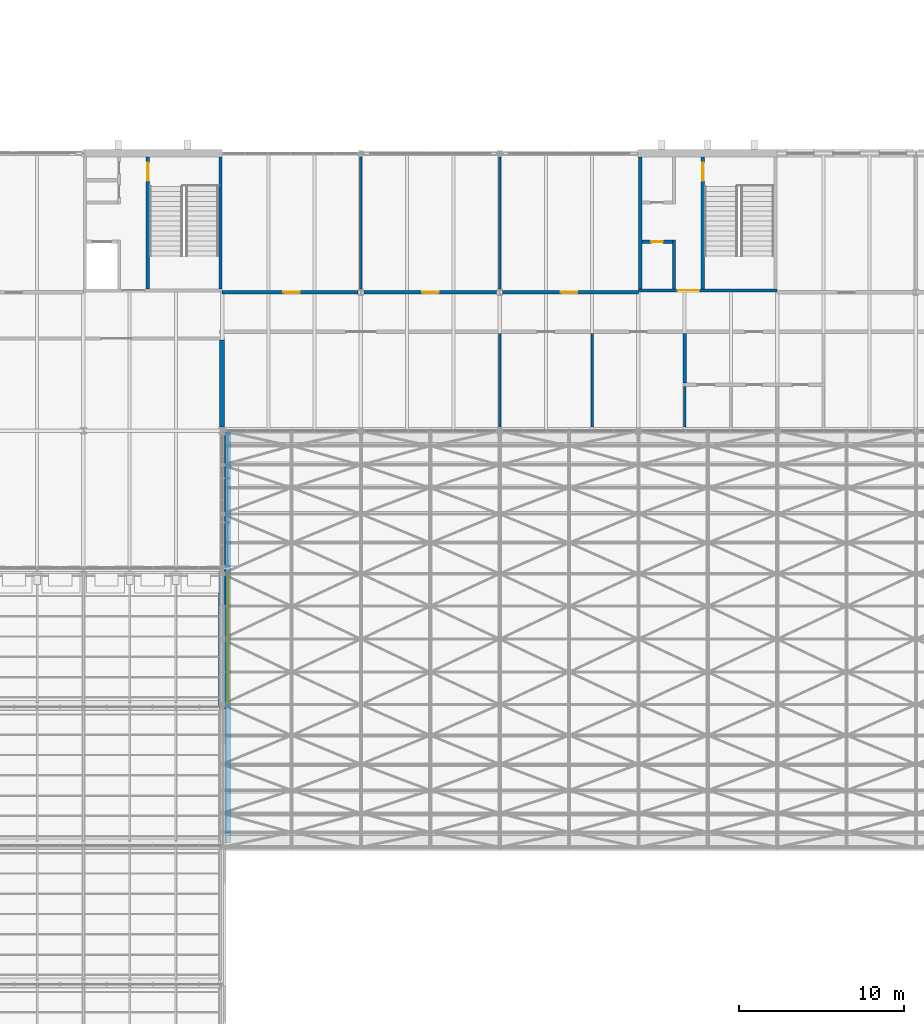
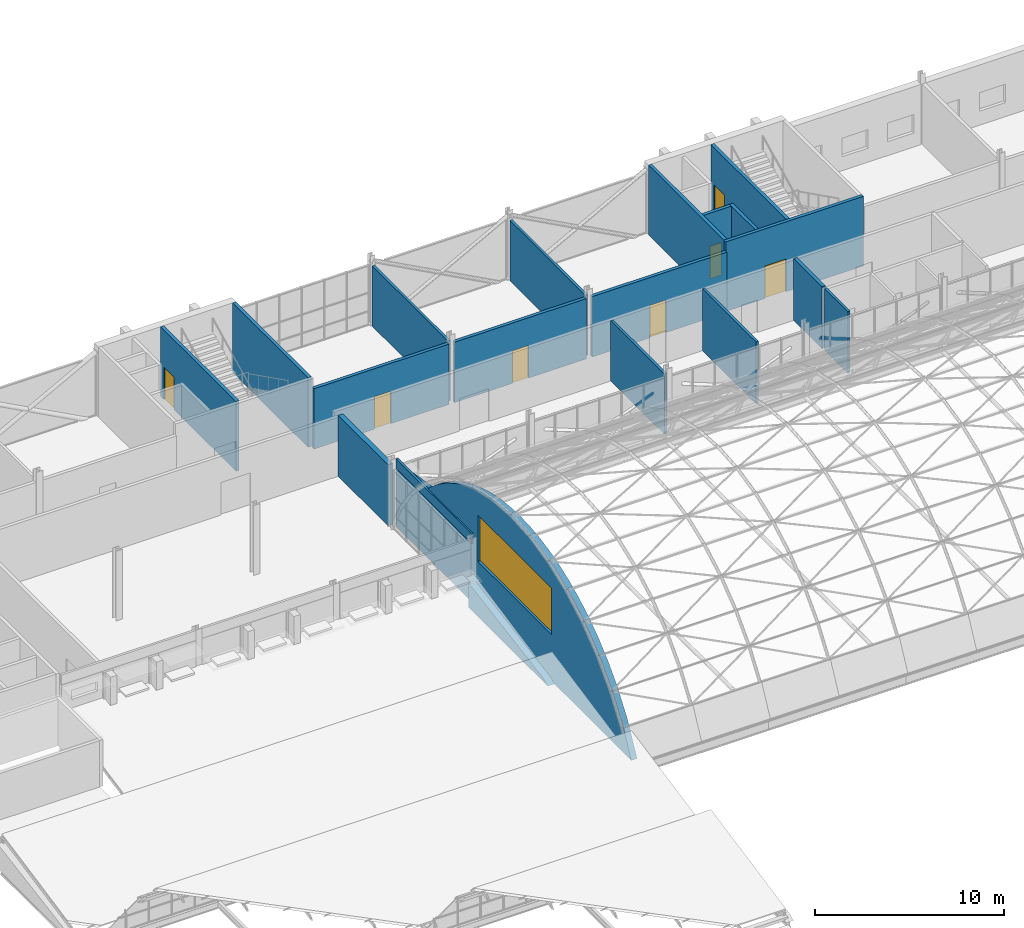
# One storey, part 84 of 121: 20 walls, 7 doors, 1 window, 8 openings.
"""IFC4 building model written with IfcOpenShell, lengths in metres."""

from ifc_helpers import new_model, si_unit, direction, frame, frame_2d, origin, place, context, subcontext, project, spatial, polyline, rectangle, outline, extrude, material, layer, layer_set, type_object, element, fill, save


model = new_model("IFC4")

# Units and contexts
model_context = context("Model", 3, precision=1e-05, world=origin(), true_north=direction((0.0, 1.0)))
body_context = subcontext(model_context, "Body", "Model", "MODEL_VIEW")
ifc_project = project(units=[si_unit("LENGTHUNIT", "METRE"), si_unit("AREAUNIT", "SQUARE_METRE"), si_unit("VOLUMEUNIT", "CUBIC_METRE"), si_unit("PLANEANGLEUNIT", "RADIAN"), si_unit("MASSUNIT", "GRAM", prefix="KILO")], contexts=[model_context])

# Site, building, storey
site_placement = place(None, origin())
site = spatial("IfcSite", under=ifc_project, at=site_placement, CompositionType="ELEMENT")
building_placement = place(site_placement, origin())
building = spatial("IfcBuilding", under=site, at=building_placement, Name="Ardhachandra Cancer Care Centre", CompositionType="ELEMENT")
storey_placement = place(building_placement, frame((0.0, 0.0, 9.0)))
storey = spatial("IfcBuildingStorey", under=building, at=storey_placement, Name="L02", CompositionType="ELEMENT", Elevation=9.0)

# Wall, opening, window
ifc_material_1 = material(Name="Brick masonry (clay brick, cement mortar)", Category="masonry")
ifc_layer_1 = layer(ifc_material_1, 0.35009765625)
ifc_layer_set_1 = layer_set([ifc_layer_1], Name="Brick masonry (clay brick, cement mortar)")
wall_type_1 = type_object("IfcWallType", Name="Brick gable wall 350", PredefinedType="SOLIDWALL", material=ifc_layer_set_1)
wall_1_placement = place(storey_placement, frame((44.7548828125, 54.60009765625, 0.0), z_axis=(0.0, 0.0, 1.0), x_axis=(0.0, 1.0, 0.0)))
wall_1 = element("IfcWall", 1, at=wall_1_placement, inside=storey, type_object=wall_type_1, Name="Hall gable wall west", PredefinedType="SOLIDWALL", context=body_context, shape_type="SweptSolid", body=[
    extrude(outline(polyline([(25.127197265625, 0.0), (25.127197265625, 3.89990234375), (21.852783203125, 4.453125), (20.82470703125, 5.338623046875), (19.796630859375, 6.062744140625), (18.7685546875, 6.654541015625), (17.740478515625, 7.13330078125), (16.71240234375, 7.511474609375), (15.684326171875, 7.798095703125), (14.65625, 7.9990234375), (13.628173828125, 8.1181640625), (12.60009765625, 8.15771484375), (11.572021484375, 8.1181640625), (10.543701171875, 7.9990234375), (9.515625, 7.798095703125), (8.487548828125, 7.511474609375), (7.45947265625, 7.13330078125), (6.431396484375, 6.654541015625), (5.4033203125, 6.062744140625), (4.375244140625, 5.338623046875), (3.34716796875, 4.453125), (2.319091796875, 3.3564453125), (1.291015625, 1.952392578125), (0.262939453125, 0.0), (0.262939453125, 0.0), (25.127197265625, 0.0)])), frame((0.0, 0.175048828125, 0.0), z_axis=(0.0, -1.0, 0.0), x_axis=(1.0, 0.0, 0.0)), (0.0, 0.0, 1.0), 0.35009765625),
])
opening_1_placement = place(wall_1_placement, frame((8.699951171875, 0.0, 3.0)))
opening_1 = element("IfcOpeningElement", 2, at=opening_1_placement, cuts=wall_1, Name="Opening W6", PredefinedType="OPENING", context=body_context, shape_type="SweptSolid", body=[
    extrude(rectangle(XDim=7.800048828125, YDim=3.0, at=frame_2d((3.89990234375, 1.5))), frame((0.0, 0.18505859375, 0.0), z_axis=(0.0, -1.0, 0.0), x_axis=(1.0, 0.0, 0.0)), (0.0, 0.0, 1.0), 0.3701171875),
])
ifc_material_2 = material(Name="Steel frame with double-glazed unit (Steel E250 (IS 2062))", Category="steel")
window_type = type_object("IfcWindowType", Name="Lunette window 7800 x 3000", PartitioningType="DOUBLE_PANEL_VERTICAL", PredefinedType="WINDOW", material=ifc_material_2)
window_placement = place(opening_1_placement, origin())
window = element("IfcWindow", 3, at=window_placement, inside=storey, type_object=window_type, Name="Hall west lunette window", OverallHeight=3.0, OverallWidth=7.800048828125, PartitioningType="SINGLE_PANEL", PredefinedType="WINDOW", context=body_context, shape_type="SweptSolid", body=[
    extrude(rectangle(XDim=7.800048828125, YDim=3.0, at=frame_2d((3.89990234375, 1.5))), frame((0.0, 0.030029296875, 0.0), z_axis=(0.0, -1.0, 0.0), x_axis=(1.0, 0.0, 0.0)), (0.0, 0.0, 1.0), 0.06005859375),
])
fill(opening_1, window)

# Wall
ifc_material_3 = material(Name="Brick masonry", Category="masonry")
ifc_layer_2 = layer(ifc_material_3, 0.300048828125)
ifc_layer_set_2 = layer_set([ifc_layer_2], Name="Brick masonry")
wall_type_2 = type_object("IfcWallType", Name="COMPARTMENT WALL 300", PredefinedType="SOLIDWALL", material=ifc_layer_set_2)
wall_2_placement = place(storey_placement, frame((44.39990234375, 80.02490234375, 0.0), z_axis=(0.0, 0.0, 1.0), x_axis=(0.0, 1.0, 0.0)))
element("IfcWall", 4, at=wall_2_placement, inside=storey, type_object=wall_type_2, Name="R/wall/L02/v0044400_0080025", PredefinedType="SOLIDWALL", context=body_context, shape_type="SweptSolid", body=[
    extrude(rectangle(XDim=5.275146484375, YDim=0.300048828125, at=frame_2d((2.6376953125, 0.0))), origin(), (0.0, 0.0, 1.0), 3.93603515625),
])

# Wall, opening, door
ifc_material_4 = material(Name="Gypsum board corridor partition on steel studs", Category="steel")
ifc_layer_3 = layer(ifc_material_4, 0.199951171875)
ifc_layer_set_3 = layer_set([ifc_layer_3], Name="Gypsum board corridor partition on steel studs")
wall_type_3 = type_object("IfcWallType", Name="CORRIDOR WALL 200", PredefinedType="PARTITIONING", material=ifc_layer_set_3)
wall_3_placement = place(storey_placement, frame((44.39990234375, 88.199951171875, 0.0), z_axis=(0.0, 0.0, 1.0), x_axis=(1.0, 0.0, 0.0)))
wall_3 = element("IfcWall", 5, at=wall_3_placement, inside=storey, type_object=wall_type_3, Name="R/wall/L02/h0088200_0044400", PredefinedType="PARTITIONING", context=body_context, shape_type="SweptSolid", body=[
    extrude(rectangle(XDim=8.22021484375, YDim=0.199951171875, at=frame_2d((4.110107421875, 0.0))), origin(), (0.0, 0.0, 1.0), 3.89990234375),
])
opening_2_placement = place(wall_3_placement, frame((3.699951171875, 0.0, 0.0)))
opening_2 = element("IfcOpeningElement", 6, at=opening_2_placement, cuts=wall_3, Name="Opening L02-0019", PredefinedType="OPENING", context=body_context, shape_type="SweptSolid", body=[
    extrude(rectangle(XDim=1.0, YDim=2.10009765625, at=frame_2d((0.5, 1.050048828125))), frame((0.0, 0.10986328125, 0.0), z_axis=(0.0, -1.0, 0.0), x_axis=(1.0, 0.0, 0.0)), (0.0, 0.0, 1.0), 0.219970703125),
])
ifc_material_5 = material(Name="Timber fire door with smoke seals", Category="wood")
door_type_1 = type_object("IfcDoorType", Name="FIRE DOOR SINGLE 1000x2100 FD30S", OperationType="NOTDEFINED", PredefinedType="DOOR", material=ifc_material_5)
door_1_placement = place(opening_2_placement, origin())
door_1 = element("IfcDoor", 7, at=door_1_placement, inside=storey, type_object=door_type_1, Name="Door L02-0019", OperationType="SINGLE_SWING_RIGHT", OverallHeight=2.10009765625, OverallWidth=1.0, PredefinedType="DOOR", context=body_context, shape_type="SweptSolid", body=[
    extrude(rectangle(XDim=1.0, YDim=2.10009765625, at=frame_2d((0.5, 1.050048828125))), frame((0.0, 0.02490234375, 0.0), z_axis=(0.0, -1.0, 0.0), x_axis=(1.0, 0.0, 0.0)), (0.0, 0.0, 1.0), 0.050048828125),
])
fill(opening_2, door_1)

wall_4_placement = place(storey_placement, frame((52.97998046875, 88.199951171875, 0.0), z_axis=(0.0, 0.0, 1.0), x_axis=(1.0, 0.0, 0.0)))
wall_4 = element("IfcWall", 8, at=wall_4_placement, inside=storey, type_object=wall_type_3, Name="R/wall/L02/h0088200_0052980", PredefinedType="PARTITIONING", context=body_context, shape_type="SweptSolid", body=[
    extrude(rectangle(XDim=8.0400390625, YDim=0.199951171875, at=frame_2d((4.02001953125, 0.0))), origin(), (0.0, 0.0, 1.0), 3.89990234375),
])
opening_3_placement = place(wall_4_placement, frame((3.52001953125, 0.0, 0.0)))
opening_3 = element("IfcOpeningElement", 9, at=opening_3_placement, cuts=wall_4, Name="Opening L02-0020", PredefinedType="OPENING", context=body_context, shape_type="SweptSolid", body=[
    extrude(rectangle(XDim=1.0, YDim=2.10009765625, at=frame_2d((0.5, 1.050048828125))), frame((0.0, 0.10986328125, 0.0), z_axis=(0.0, -1.0, 0.0), x_axis=(1.0, 0.0, 0.0)), (0.0, 0.0, 1.0), 0.219970703125),
])
door_2_placement = place(opening_3_placement, origin())
door_2 = element("IfcDoor", 10, at=door_2_placement, inside=storey, type_object=door_type_1, Name="Door L02-0020", OperationType="SINGLE_SWING_RIGHT", OverallHeight=2.10009765625, OverallWidth=1.0, PredefinedType="DOOR", context=body_context, shape_type="SweptSolid", body=[
    extrude(rectangle(XDim=1.0, YDim=2.10009765625, at=frame_2d((0.5, 1.050048828125))), frame((0.0, 0.02490234375, 0.0), z_axis=(0.0, -1.0, 0.0), x_axis=(1.0, 0.0, 0.0)), (0.0, 0.0, 1.0), 0.050048828125),
])
fill(opening_3, door_2)

wall_5_placement = place(storey_placement, frame((61.3798828125, 88.199951171875, 0.0), z_axis=(0.0, 0.0, 1.0), x_axis=(1.0, 0.0, 0.0)))
wall_5 = element("IfcWall", 11, at=wall_5_placement, inside=storey, type_object=wall_type_3, Name="R/wall/L02/h0088200_0061380", PredefinedType="PARTITIONING", context=body_context, shape_type="SweptSolid", body=[
    extrude(rectangle(XDim=8.22021484375, YDim=0.199951171875, at=frame_2d((4.110107421875, 0.0))), origin(), (0.0, 0.0, 1.0), 3.89990234375),
])
opening_4_placement = place(wall_5_placement, frame((3.52001953125, 0.0, 0.0)))
opening_4 = element("IfcOpeningElement", 12, at=opening_4_placement, cuts=wall_5, Name="Opening L02-0021", PredefinedType="OPENING", context=body_context, shape_type="SweptSolid", body=[
    extrude(rectangle(XDim=1.0, YDim=2.10009765625, at=frame_2d((0.5, 1.050048828125))), frame((0.0, 0.10986328125, 0.0), z_axis=(0.0, -1.0, 0.0), x_axis=(1.0, 0.0, 0.0)), (0.0, 0.0, 1.0), 0.219970703125),
])
door_3_placement = place(opening_4_placement, origin())
door_3 = element("IfcDoor", 13, at=door_3_placement, inside=storey, type_object=door_type_1, Name="Door L02-0021", OperationType="SINGLE_SWING_LEFT", OverallHeight=2.10009765625, OverallWidth=1.0, PredefinedType="DOOR", context=body_context, shape_type="SweptSolid", body=[
    extrude(rectangle(XDim=1.0, YDim=2.10009765625, at=frame_2d((0.5, 1.050048828125))), frame((0.0, 0.02490234375, 0.0), z_axis=(0.0, -1.0, 0.0), x_axis=(1.0, 0.0, 0.0)), (0.0, 0.0, 1.0), 0.050048828125),
])
fill(opening_4, door_3)

# Walls
wall_6_placement = place(storey_placement, frame((72.39990234375, 82.699951171875, 0.0), z_axis=(0.0, 0.0, 1.0), x_axis=(0.0, 1.0, 0.0)))
element("IfcWall", 14, at=wall_6_placement, inside=storey, type_object=wall_type_3, Name="R/wall/L02/v0072400_0082700", PredefinedType="PARTITIONING", context=body_context, shape_type="SweptSolid", body=[
    extrude(rectangle(XDim=3.0, YDim=0.199951171875, at=frame_2d((1.5, 0.0))), origin(), (0.0, 0.0, 1.0), 3.99609375),
])
ifc_material_6 = material(Name="Concrete M40", Category="concrete")
ifc_layer_4 = layer(ifc_material_6, 0.199951171875)
ifc_layer_set_4 = layer_set([ifc_layer_4], Name="Concrete M40")
wall_type_4 = type_object("IfcWallType", Name="Core wall RC 200", PredefinedType="SOLIDWALL", material=ifc_layer_set_4)
wall_7_placement = place(storey_placement, frame((44.300048828125, 88.39990234375, 0.0), z_axis=(0.0, 0.0, 1.0), x_axis=(0.0, 1.0, 0.0)))
element("IfcWall", 15, at=wall_7_placement, inside=storey, type_object=wall_type_4, Name="Core wall K5 UW", PredefinedType="SOLIDWALL", context=body_context, shape_type="SweptSolid", body=[
    extrude(rectangle(XDim=7.97509765625, YDim=0.199951171875, at=frame_2d((3.987548828125, 0.0))), origin(), (0.0, 0.0, 1.0), 4.5),
])

# Wall, opening, door
wall_8_placement = place(storey_placement, frame((39.89990234375, 88.39990234375, 0.0), z_axis=(0.0, 0.0, 1.0), x_axis=(0.0, 1.0, 0.0)))
wall_8 = element("IfcWall", 16, at=wall_8_placement, inside=storey, type_object=wall_type_4, Name="Core wall K5 P1", PredefinedType="SOLIDWALL", context=body_context, shape_type="SweptSolid", body=[
    extrude(rectangle(XDim=7.97509765625, YDim=0.199951171875, at=frame_2d((3.987548828125, 0.0))), origin(), (0.0, 0.0, 1.0), 4.5),
])
opening_5_placement = place(wall_8_placement, frame((6.53759765625, 0.0, 0.0)))
opening_5 = element("IfcOpeningElement", 17, at=opening_5_placement, cuts=wall_8, Name="Opening L02-K05-2", PredefinedType="OPENING", context=body_context, shape_type="SweptSolid", body=[
    extrude(rectangle(XDim=1.10009765625, YDim=2.10009765625, at=frame_2d((0.550048828125, 1.050048828125))), frame((0.0, 0.10986328125, 0.0), z_axis=(0.0, -1.0, 0.0), x_axis=(1.0, 0.0, 0.0)), (0.0, 0.0, 1.0), 0.219970703125),
])
ifc_material_7 = material(Name="Steel door set", Category="steel")
door_type_2 = type_object("IfcDoorType", Name="Stair door 1100x2100 FD60S", OperationType="NOTDEFINED", PredefinedType="DOOR", material=ifc_material_7)
door_4_placement = place(opening_5_placement, origin())
door_4 = element("IfcDoor", 18, at=door_4_placement, inside=storey, type_object=door_type_2, Name="Stair door", OperationType="SINGLE_SWING_LEFT", OverallHeight=2.10009765625, OverallWidth=1.10009765625, PredefinedType="DOOR", context=body_context, shape_type="SweptSolid", body=[
    extrude(rectangle(XDim=1.10009765625, YDim=2.10009765625, at=frame_2d((0.550048828125, 1.050048828125))), frame((0.0, 0.02490234375, 0.0), z_axis=(0.0, -1.0, 0.0), x_axis=(1.0, 0.0, 0.0)), (0.0, 0.0, 1.0), 0.050048828125),
])
fill(opening_5, door_4)

wall_9_placement = place(storey_placement, frame((78.0, 88.300048828125, 0.0), z_axis=(0.0, 0.0, 1.0), x_axis=(-1.0, 0.0, 0.0)))
wall_9 = element("IfcWall", 19, at=wall_9_placement, inside=storey, type_object=wall_type_4, Name="Core wall K8 ENT", PredefinedType="SOLIDWALL", context=body_context, shape_type="SweptSolid", body=[
    extrude(rectangle(XDim=8.39990234375, YDim=0.199951171875, at=frame_2d((4.199951171875, 0.0))), origin(), (0.0, 0.0, 1.0), 4.5),
])
opening_6_placement = place(wall_9_placement, frame((4.72509765625, 0.0, 0.0)))
opening_6 = element("IfcOpeningElement", 20, at=opening_6_placement, cuts=wall_9, Name="Opening L02-K08-1", PredefinedType="OPENING", context=body_context, shape_type="SweptSolid", body=[
    extrude(rectangle(XDim=1.300048828125, YDim=2.10009765625, at=frame_2d((0.64990234375, 1.050048828125))), frame((0.0, 0.10986328125, 0.0), z_axis=(0.0, -1.0, 0.0), x_axis=(1.0, 0.0, 0.0)), (0.0, 0.0, 1.0), 0.219970703125),
])
ifc_material_8 = material(Name="Steel door set", Category="steel")
door_type_3 = type_object("IfcDoorType", Name="Core entry double door 1300x2100 FD60", OperationType="DOUBLE_DOOR_DOUBLE_SWING", PredefinedType="DOOR", material=ifc_material_8)
door_5_placement = place(opening_6_placement, origin())
door_5 = element("IfcDoor", 21, at=door_5_placement, inside=storey, type_object=door_type_3, Name="Core entry door", OperationType="DOUBLE_DOOR_DOUBLE_SWING", OverallHeight=2.10009765625, OverallWidth=1.300048828125, PredefinedType="DOOR", context=body_context, shape_type="SweptSolid", body=[
    extrude(rectangle(XDim=1.300048828125, YDim=2.10009765625, at=frame_2d((0.64990234375, 1.050048828125))), frame((0.0, 0.02490234375, 0.0), z_axis=(0.0, -1.0, 0.0), x_axis=(1.0, 0.0, 0.0)), (0.0, 0.0, 1.0), 0.050048828125),
])
fill(opening_6, door_5)

# Wall
wall_10_placement = place(storey_placement, frame((69.699951171875, 88.39990234375, 0.0), z_axis=(0.0, 0.0, 1.0), x_axis=(0.0, 1.0, 0.0)))
element("IfcWall", 22, at=wall_10_placement, inside=storey, type_object=wall_type_4, Name="Core wall K8 UE", PredefinedType="SOLIDWALL", context=body_context, shape_type="SweptSolid", body=[
    extrude(rectangle(XDim=7.97509765625, YDim=0.199951171875, at=frame_2d((3.987548828125, 0.0))), origin(), (0.0, 0.0, 1.0), 4.5),
])

# Wall, opening, door
wall_11_placement = place(storey_placement, frame((73.5, 88.39990234375, 0.0), z_axis=(0.0, 0.0, 1.0), x_axis=(0.0, 1.0, 0.0)))
wall_11 = element("IfcWall", 23, at=wall_11_placement, inside=storey, type_object=wall_type_4, Name="Core wall K8 P1", PredefinedType="SOLIDWALL", context=body_context, shape_type="SweptSolid", body=[
    extrude(rectangle(XDim=7.97509765625, YDim=0.199951171875, at=frame_2d((3.987548828125, 0.0))), origin(), (0.0, 0.0, 1.0), 4.5),
])
opening_7_placement = place(wall_11_placement, frame((6.53759765625, 0.0, 0.0)))
opening_7 = element("IfcOpeningElement", 24, at=opening_7_placement, cuts=wall_11, Name="Opening L02-K08-2", PredefinedType="OPENING", context=body_context, shape_type="SweptSolid", body=[
    extrude(rectangle(XDim=1.10009765625, YDim=2.10009765625, at=frame_2d((0.550048828125, 1.050048828125))), frame((0.0, 0.10986328125, 0.0), z_axis=(0.0, -1.0, 0.0), x_axis=(1.0, 0.0, 0.0)), (0.0, 0.0, 1.0), 0.219970703125),
])
door_6_placement = place(opening_7_placement, origin())
door_6 = element("IfcDoor", 25, at=door_6_placement, inside=storey, type_object=door_type_2, Name="Stair door", OperationType="SINGLE_SWING_LEFT", OverallHeight=2.10009765625, OverallWidth=1.10009765625, PredefinedType="DOOR", context=body_context, shape_type="SweptSolid", body=[
    extrude(rectangle(XDim=1.10009765625, YDim=2.10009765625, at=frame_2d((0.550048828125, 1.050048828125))), frame((0.0, 0.02490234375, 0.0), z_axis=(0.0, -1.0, 0.0), x_axis=(1.0, 0.0, 0.0)), (0.0, 0.0, 1.0), 0.050048828125),
])
fill(opening_7, door_6)

# Wall
wall_12_placement = place(storey_placement, frame((71.75, 88.39990234375, 0.0), z_axis=(0.0, 0.0, 1.0), x_axis=(0.0, 1.0, 0.0)))
element("IfcWall", 26, at=wall_12_placement, inside=storey, type_object=wall_type_4, Name="Core wall K8 P2A", PredefinedType="SOLIDWALL", context=body_context, shape_type="SweptSolid", body=[
    extrude(rectangle(XDim=2.9501953125, YDim=0.199951171875, at=frame_2d((1.47509765625, 0.0))), origin(), (0.0, 0.0, 1.0), 4.300048828125),
])

# Wall, opening, door
wall_13_placement = place(storey_placement, frame((71.64990234375, 91.25, 0.0), z_axis=(0.0, 0.0, 1.0), x_axis=(-1.0, 0.0, 0.0)))
wall_13 = element("IfcWall", 27, at=wall_13_placement, inside=storey, type_object=wall_type_4, Name="Core wall K8 W1", PredefinedType="SOLIDWALL", context=body_context, shape_type="SweptSolid", body=[
    extrude(rectangle(XDim=1.849853515625, YDim=0.199951171875, at=frame_2d((0.9248046875, 0.0))), origin(), (0.0, 0.0, 1.0), 4.300048828125),
])
opening_8_placement = place(wall_13_placement, frame((0.574951171875, 0.0, 0.0)))
opening_8 = element("IfcOpeningElement", 28, at=opening_8_placement, cuts=wall_13, Name="Opening L02-K08-3", PredefinedType="OPENING", context=body_context, shape_type="SweptSolid", body=[
    extrude(rectangle(XDim=0.699951171875, YDim=2.10009765625, at=frame_2d((0.35009765625, 1.050048828125))), frame((0.0, 0.10986328125, 0.0), z_axis=(0.0, -1.0, 0.0), x_axis=(1.0, 0.0, 0.0)), (0.0, 0.0, 1.0), 0.219970703125),
])
ifc_material_9 = material(Name="Steel door set", Category="steel")
door_type_4 = type_object("IfcDoorType", Name="Riser access door 700x2100 FD120S", OperationType="NOTDEFINED", PredefinedType="DOOR", material=ifc_material_9)
door_7_placement = place(opening_8_placement, origin())
door_7 = element("IfcDoor", 29, at=door_7_placement, inside=storey, type_object=door_type_4, Name="Riser access door", OperationType="SINGLE_SWING_RIGHT", OverallHeight=2.10009765625, OverallWidth=0.699951171875, PredefinedType="DOOR", context=body_context, shape_type="SweptSolid", body=[
    extrude(rectangle(XDim=0.699951171875, YDim=2.10009765625, at=frame_2d((0.35009765625, 1.050048828125))), frame((0.0, 0.02490234375, 0.0), z_axis=(0.0, -1.0, 0.0), x_axis=(1.0, 0.0, 0.0)), (0.0, 0.0, 1.0), 0.050048828125),
])
fill(opening_8, door_7)

# Walls
ifc_material_10 = material(Name="Precast Concrete M30 fascia panel with brick slip facing", Category="masonry")
ifc_layer_5 = layer(ifc_material_10, 0.1298828125)
ifc_layer_set_5 = layer_set([ifc_layer_5], Name="Precast Concrete M30 fascia panel with brick slip facing")
wall_type_5 = type_object("IfcWallType", Name="Edge beam fascia 130", PredefinedType="SOLIDWALL", material=ifc_layer_set_5)
wall_14_placement = place(storey_placement, frame((44.56005859375, 71.583984375, 3.8701171875), z_axis=(0.0, 0.0, 1.0), x_axis=(0.0, 1.0, 0.0)))
element("IfcWall", 30, at=wall_14_placement, inside=storey, type_object=wall_type_5, Name="E/fascia/L02/e/0044400_0071400", PredefinedType="SOLIDWALL", context=body_context, shape_type="SweptSolid", body=[
    extrude(rectangle(XDim=8.031982421875, YDim=0.1298828125, at=frame_2d((4.01611328125, 0.0))), origin(), (0.0, 0.0, 1.0), 0.6298828125),
])
ifc_material_11 = material(Name="Brick masonry (clay brick, cement mortar) with mineral wool cavity insulation", Category="masonry")
ifc_layer_6 = layer(ifc_material_11, 0.449951171875)
ifc_layer_set_6 = layer_set([ifc_layer_6], Name="Brick masonry (clay brick, cement mortar) with mineral wool cavity insulation")
wall_type_6 = type_object("IfcWallType", Name="Gable infill wall 450", PredefinedType="SOLIDWALL", material=ifc_layer_set_6)
wall_15_placement = place(storey_placement, frame((44.39990234375, 63.0, 0.0), z_axis=(0.0, 0.0, 1.0), x_axis=(0.0, 1.0, 0.0)))
element("IfcWall", 31, at=wall_15_placement, inside=storey, type_object=wall_type_6, Name="Tooth end wall T5a e", PredefinedType="SOLIDWALL", context=body_context, shape_type="SweptSolid", body=[
    extrude(outline(polyline([(0.0, 0.0), (8.39990234375, 0.0), (8.39990234375, 1.580078125), (0.39990234375, 0.199951171875), (0.0, 0.0)])), frame((0.0, 0.22509765625, 0.0), z_axis=(0.0, -1.0, 0.0), x_axis=(1.0, 0.0, 0.0)), (0.0, 0.0, 1.0), 0.449951171875),
])
ifc_material_12 = material(Name="Gypsum board partition on steel studs", Category="steel")
ifc_layer_7 = layer(ifc_material_12, 0.14990234375)
ifc_layer_set_7 = layer_set([ifc_layer_7], Name="Gypsum board partition on steel studs")
wall_type_7 = type_object("IfcWallType", Name="PARTITION 150", PredefinedType="PARTITIONING", material=ifc_layer_set_7)
wall_16_placement = place(storey_placement, frame((52.800048828125, 88.3798828125, 0.0), z_axis=(0.0, 0.0, 1.0), x_axis=(0.0, 1.0, 0.0)))
element("IfcWall", 32, at=wall_16_placement, inside=storey, type_object=wall_type_7, Name="R/wall/L02/v0052800_0088380", PredefinedType="PARTITIONING", context=body_context, shape_type="SweptSolid", body=[
    extrude(rectangle(XDim=7.9951171875, YDim=0.14990234375, at=frame_2d((3.99755859375, 0.0))), origin(), (0.0, 0.0, 1.0), 3.89990234375),
])
wall_17_placement = place(storey_placement, frame((61.199951171875, 80.02490234375, 0.0), z_axis=(0.0, 0.0, 1.0), x_axis=(0.0, 1.0, 0.0)))
element("IfcWall", 33, at=wall_17_placement, inside=storey, type_object=wall_type_7, Name="R/wall/L02/v0061200_0080025", PredefinedType="PARTITIONING", context=body_context, shape_type="SweptSolid", body=[
    extrude(rectangle(XDim=5.675048828125, YDim=0.14990234375, at=frame_2d((2.83740234375, 0.0))), origin(), (0.0, 0.0, 1.0), 3.89990234375),
])
wall_18_placement = place(storey_placement, frame((61.199951171875, 88.3798828125, 0.0), z_axis=(0.0, 0.0, 1.0), x_axis=(0.0, 1.0, 0.0)))
element("IfcWall", 34, at=wall_18_placement, inside=storey, type_object=wall_type_7, Name="R/wall/L02/v0061200_0088380", PredefinedType="PARTITIONING", context=body_context, shape_type="SweptSolid", body=[
    extrude(rectangle(XDim=7.9951171875, YDim=0.14990234375, at=frame_2d((3.99755859375, 0.0))), origin(), (0.0, 0.0, 1.0), 3.89990234375),
])
wall_19_placement = place(storey_placement, frame((66.800048828125, 80.02490234375, 0.0), z_axis=(0.0, 0.0, 1.0), x_axis=(0.0, 1.0, 0.0)))
element("IfcWall", 35, at=wall_19_placement, inside=storey, type_object=wall_type_7, Name="R/wall/L02/v0066800_0080025", PredefinedType="PARTITIONING", context=body_context, shape_type="SweptSolid", body=[
    extrude(rectangle(XDim=5.675048828125, YDim=0.14990234375, at=frame_2d((2.83740234375, 0.0))), origin(), (0.0, 0.0, 1.0), 3.99609375),
])
ifc_material_13 = material(Name="Tiled gypsum board partition on steel studs", Category="steel")
ifc_layer_8 = layer(ifc_material_13, 0.14990234375)
ifc_layer_set_8 = layer_set([ifc_layer_8], Name="Tiled gypsum board partition on steel studs")
wall_type_8 = type_object("IfcWallType", Name="WET ROOM PARTITION 150", PredefinedType="PARTITIONING", material=ifc_layer_set_8)
wall_20_placement = place(storey_placement, frame((72.39990234375, 80.02490234375, 0.0), z_axis=(0.0, 0.0, 1.0), x_axis=(0.0, 1.0, 0.0)))
element("IfcWall", 36, at=wall_20_placement, inside=storey, type_object=wall_type_8, Name="R/wall/L02/v0072400_0080025", PredefinedType="PARTITIONING", context=body_context, shape_type="SweptSolid", body=[
    extrude(rectangle(XDim=2.47509765625, YDim=0.14990234375, at=frame_2d((1.237548828125, 0.0))), origin(), (0.0, 0.0, 1.0), 3.99609375),
])

save(model, "model.ifc")
